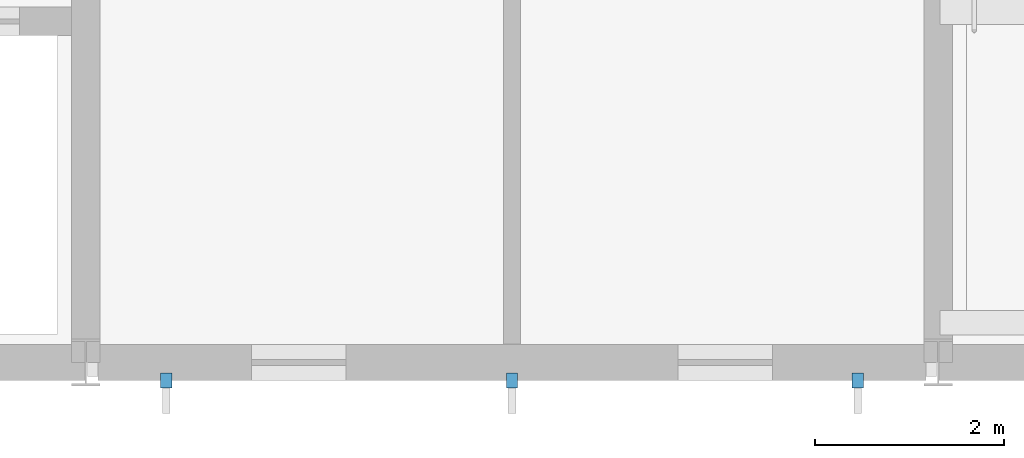
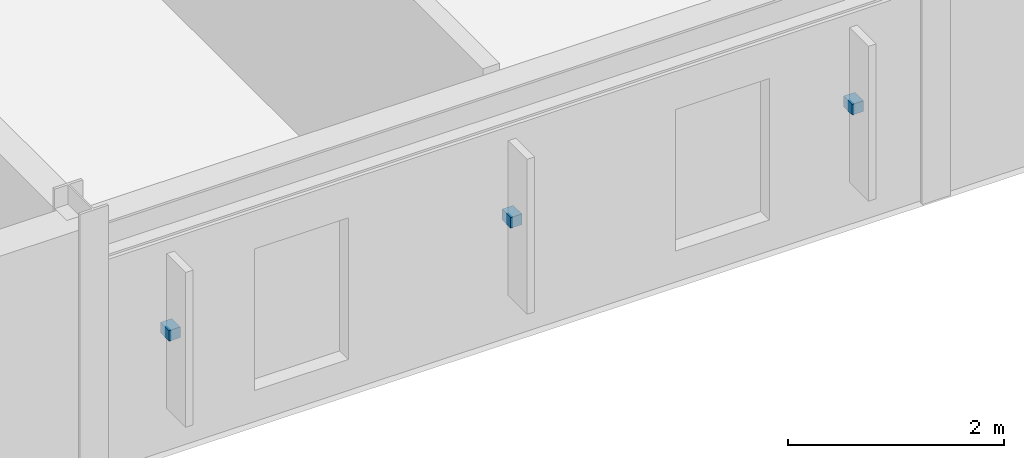
# One storey, part 25 of 30: 3 discrete accessories.
"""IFC4 building model written with IfcOpenShell, lengths in metres."""

from ifc_helpers import new_model, si_unit, direction, frame, origin, origin_2d, place, context, subcontext, project, spatial, rectangle, extrude, material, type_object, element, save


model = new_model("IFC4")

# Units and contexts
model_context = context("Model", 3, precision=1e-05, world=origin(), true_north=direction((0.0, 1.0)))
body_context = subcontext(model_context, "Body", "Model", "MODEL_VIEW")
ifc_project = project(units=[si_unit("LENGTHUNIT", "METRE"), si_unit("AREAUNIT", "SQUARE_METRE"), si_unit("VOLUMEUNIT", "CUBIC_METRE"), si_unit("PLANEANGLEUNIT", "RADIAN"), si_unit("MASSUNIT", "GRAM", prefix="KILO")], contexts=[model_context])

# Site, building, storey
site_placement = place(None, origin())
site = spatial("IfcSite", under=ifc_project, at=site_placement, CompositionType="ELEMENT")
building_placement = place(site_placement, origin())
building = spatial("IfcBuilding", under=site, at=building_placement, Name="Palais des Congres Ocreval", CompositionType="ELEMENT")
storey_placement = place(building_placement, frame((0.0, 0.0, 14.56005859375)))
storey = spatial("IfcBuildingStorey", under=building, at=storey_placement, Name="L04", CompositionType="ELEMENT", Elevation=14.56005859375)

# Discrete accessories
ifc_material = material(Name="Steel S355", Category="steel")
discrete_accessory_type = type_object("IfcDiscreteAccessoryType", Name="Stainless Brise-Soleil Fixing Bracket", PredefinedType="BRACKET", material=ifc_material)
for number, where, z_axis, x_axis, name in (
    (1, (53.14990234375, -0.18994140625, 1.289794921875), (0.0, 0.0, 1.0), (0.0, -1.0, 0.0), "Celosia Fixing Bracket BK01"),
    (2, (49.5, -0.18994140625, 1.289794921875), (0.0, 0.0, 1.0), (0.0, -1.0, 0.0), "Celosia Fixing Bracket BK01"),
    (3, (45.85009765625, -0.18994140625, 1.289794921875), (0.0, 0.0, 1.0), (0.0, -1.0, 0.0), "Celosia Fixing Bracket BK01"),
):
    element("IfcDiscreteAccessory", number, at=place(storey_placement, frame(where, z_axis=z_axis, x_axis=x_axis)), inside=storey, type_object=discrete_accessory_type, Name=name, PredefinedType="BRACKET", context=body_context, shape_type="SweptSolid", body=[
        extrude(rectangle(XDim=0.159912109375, YDim=0.1201171875, at=origin_2d()), origin(), (0.0, 0.0, 1.0), 0.1201171875),
    ])

save(model, "model.ifc")
